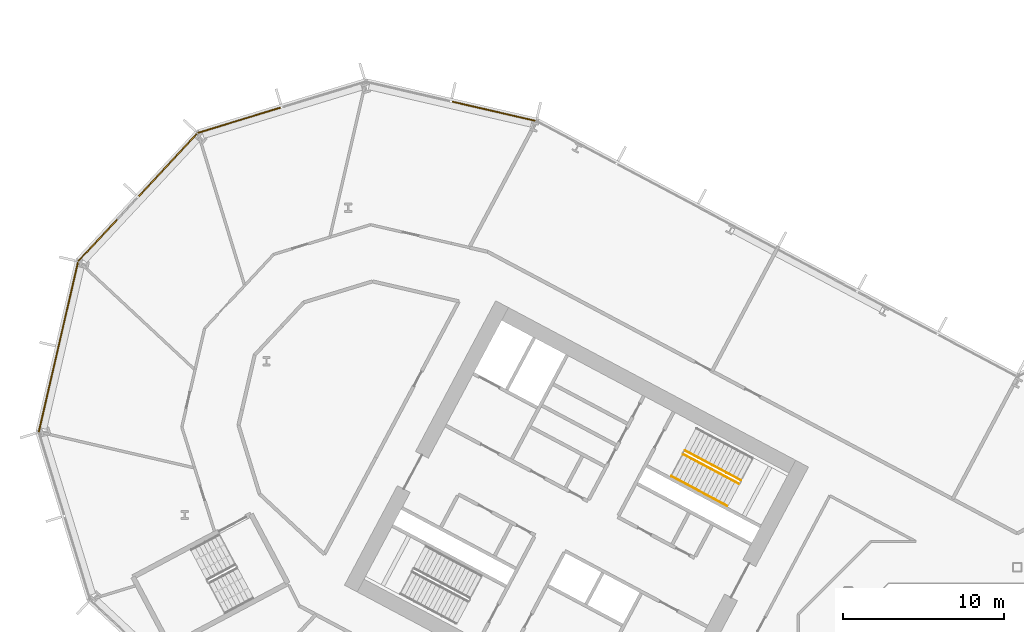
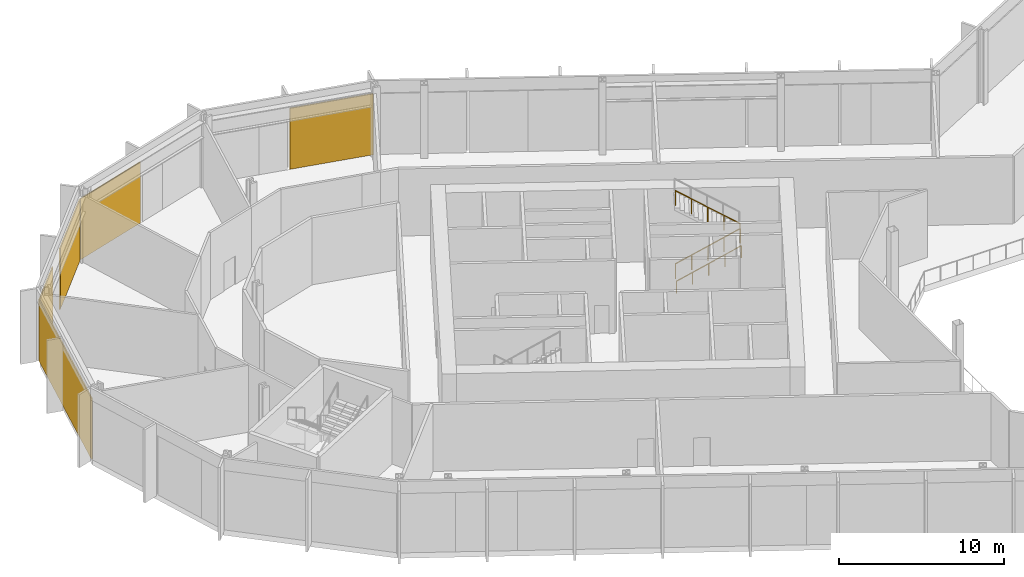
# One storey, part 23 of 30: 5 coverings, 3 railings, 4 elements without a shape of their own.
"""IFC4 building model written with IfcOpenShell, lengths in metres."""

from ifc_helpers import new_model, si_unit, direction, frame, origin, origin_2d, place, context, subcontext, project, spatial, polyline, rectangle, outline, extrude, material, layer, layer_set, type_object, element, aggregate, save


model = new_model("IFC4")

# Units and contexts
model_context = context("Model", 3, precision=1e-05, world=origin(), true_north=direction((0.0, 1.0)))
body_context = subcontext(model_context, "Body", "Model", "MODEL_VIEW")
ifc_project = project(units=[si_unit("LENGTHUNIT", "METRE"), si_unit("AREAUNIT", "SQUARE_METRE"), si_unit("VOLUMEUNIT", "CUBIC_METRE"), si_unit("PLANEANGLEUNIT", "RADIAN"), si_unit("MASSUNIT", "GRAM", prefix="KILO")], contexts=[model_context])

# Site, building, storey
site_placement = place(None, origin())
site = spatial("IfcSite", under=ifc_project, at=site_placement, CompositionType="ELEMENT")
building_placement = place(site_placement, origin())
building = spatial("IfcBuilding", under=site, at=building_placement, Name="Cormorant Relay Tower", CompositionType="ELEMENT")
storey_placement = place(building_placement, frame((0.0, 0.0, 44.60009765625)))
storey = spatial("IfcBuildingStorey", under=building, at=storey_placement, Name="L08", CompositionType="ELEMENT", Elevation=44.60009765625)

# Curtain wall, covering
ifc_material_1 = material(Name="Aluminium 6063-T6 anodised bronze", Category="aluminium")
ifc_layer_1 = layer(ifc_material_1, 0.235107421875)
ifc_layer_set_1 = layer_set([ifc_layer_1], Name="CW6 data hall curtain wall with mineral wool panels")
curtain_wall_type = type_object("IfcCurtainWallType", Name="CW6 data hall curtain wall with mineral wool panels", PredefinedType="NOTDEFINED", material=ifc_layer_set_1)
curtain_wall_1_placement = place(storey_placement, origin())
curtain_wall_1 = element("IfcCurtainWall", 1, at=curtain_wall_1_placement, inside=storey, type_object=curtain_wall_type, Name="CW6 curtain wall 8", PredefinedType="NOTDEFINED")
ifc_material_2 = material(Name="Mineral wool cored anodised bronze aluminium cassette panel", Category="aluminium")
ifc_layer_2 = layer(ifc_material_2, 0.074951171875)
ifc_layer_set_2 = layer_set([ifc_layer_2], Name="CW6 mineral wool cassette panel 75")
covering_type = type_object("IfcCoveringType", Name="CW6 mineral wool cassette panel 75", PredefinedType="CLADDING", material=ifc_layer_set_2)
covering_1_placement = place(storey_placement, frame((-32.51318359375, 40.31591796875, 0.0), z_axis=(0.0, 0.0, 1.0), x_axis=(-0.974370064785, 0.224951054344, 0.0)))
covering_1 = element("IfcCovering", 2, at=covering_1_placement, type_object=covering_type, Name="CW6 panel S00", PredefinedType="CLADDING", context=body_context, shape_type="SweptSolid", body=[
    extrude(rectangle(XDim=5.28515625, YDim=0.074951171875, at=origin_2d()), origin(), (0.0, 0.0, 1.0), 4.5),
])
aggregate(curtain_wall_1, [covering_1])

curtain_wall_2_placement = place(storey_placement, origin())
curtain_wall_2 = element("IfcCurtainWall", 3, at=curtain_wall_2_placement, inside=storey, type_object=curtain_wall_type, Name="CW6 curtain wall 9", PredefinedType="NOTDEFINED")
covering_2_placement = place(storey_placement, frame((-48.308837890625, 39.754638671875, 0.0), z_axis=(0.0, 0.0, 1.0), x_axis=(-0.956304755963, -0.292371704723, 0.0)))
covering_2 = element("IfcCovering", 4, at=covering_2_placement, type_object=covering_type, Name="CW6 panel S02", PredefinedType="CLADDING", context=body_context, shape_type="SweptSolid", body=[
    extrude(rectangle(XDim=5.360107421875, YDim=0.074951171875, at=origin_2d()), origin(), (0.0, 0.0, 1.0), 4.5),
])
aggregate(curtain_wall_2, [covering_2])

# Curtain wall, coverings
curtain_wall_3_placement = place(storey_placement, origin())
curtain_wall_3 = element("IfcCurtainWall", 5, at=curtain_wall_3_placement, inside=storey, type_object=curtain_wall_type, Name="CW6 curtain wall 10", PredefinedType="NOTDEFINED")
covering_3_placement = place(storey_placement, frame((-52.74169921875, 36.973388671875, 0.0), z_axis=(0.0, 0.0, 1.0), x_axis=(-0.681998360062, -0.731353701619, 0.0)))
covering_3 = element("IfcCovering", 6, at=covering_3_placement, type_object=covering_type, Name="CW6 panel S00", PredefinedType="CLADDING", context=body_context, shape_type="SweptSolid", body=[
    extrude(rectangle(XDim=5.28515625, YDim=0.074951171875, at=origin_2d()), origin(), (0.0, 0.0, 1.0), 4.5),
])
covering_4_placement = place(storey_placement, frame((-57.087890625, 32.3125, 0.0), z_axis=(0.0, 0.0, 1.0), x_axis=(-0.681998360062, -0.731353701619, 0.0)))
covering_4 = element("IfcCovering", 7, at=covering_4_placement, type_object=covering_type, Name="CW6 panel S02", PredefinedType="CLADDING", context=body_context, shape_type="SweptSolid", body=[
    extrude(rectangle(XDim=3.560302734375, YDim=0.074951171875, at=origin_2d()), origin(), (0.0, 0.0, 1.0), 4.5),
])
aggregate(curtain_wall_3, [covering_3, covering_4])

# Curtain wall, covering
curtain_wall_4_placement = place(storey_placement, origin())
curtain_wall_4 = element("IfcCurtainWall", 8, at=curtain_wall_4_placement, inside=storey, type_object=curtain_wall_type, Name="CW6 curtain wall 11", PredefinedType="NOTDEFINED")
covering_5_placement = place(storey_placement, frame((-59.542236328125, 25.6611328125, 0.0), z_axis=(0.0, 0.0, 1.0), x_axis=(-0.224951054344, -0.974370064785, 0.0)))
covering_5 = element("IfcCovering", 9, at=covering_5_placement, type_object=covering_type, Name="CW6 panel S00", PredefinedType="CLADDING", context=body_context, shape_type="SweptSolid", body=[
    extrude(rectangle(XDim=10.79541015625, YDim=0.074951171875, at=origin_2d()), origin(), (0.0, 0.0, 1.0), 4.5),
])
aggregate(curtain_wall_4, [covering_5])

# Railings
ifc_material_3 = material(Name="Steel ASTM A572 Grade 50 (Fy 345 MPa)", Category="steel")
railing_type_1 = type_object("IfcRailingType", Name="Stair guard 1100", PredefinedType="GUARDRAIL", material=ifc_material_3)
railing_1_placement = place(storey_placement, frame((-20.75048828125, 19.017822265625, 0.179931640625)))
element("IfcRailing", 10, at=railing_1_placement, inside=storey, type_object=railing_type_1, Name="L08 A1 stair guard 1", PredefinedType="GUARDRAIL", context=body_context, shape_type="SweptSolid", body=[
    extrude(outline(polyline([(0.022216796875, 0.00927734375), (0.00927734375, 0.022216796875), (-0.00927734375, 0.022216796875), (-0.022216796875, 0.00927734375), (-0.022216796875, -0.00927734375), (-0.00927734375, -0.022216796875), (0.00927734375, -0.022216796875), (0.022216796875, -0.00927734375), (0.022216796875, 0.00927734375)])), frame((0.0, 0.0, 1.076171875), z_axis=(0.74271721126, -0.394907409077, 0.540758062681), x_axis=(0.469469396681, 0.882948744594, 0.0)), (0.0, 0.0, 1.0), 4.66015625),
    extrude(outline(polyline([(0.019287109375, 0.008056640625), (0.008056640625, 0.019287109375), (-0.008056640625, 0.019287109375), (-0.019287109375, 0.008056640625), (-0.019287109375, -0.008056640625), (-0.008056640625, -0.019287109375), (0.008056640625, -0.019287109375), (0.019287109375, -0.008056640625), (0.019287109375, 0.008056640625)])), origin(), (0.0, 0.0, 1.0), 1.052001953125),
    extrude(outline(polyline([(0.019287109375, 0.008056640625), (0.008056640625, 0.019287109375), (-0.008056640625, 0.019287109375), (-0.019287109375, 0.008056640625), (-0.019287109375, -0.008056640625), (-0.008056640625, -0.019287109375), (0.008056640625, -0.019287109375), (0.019287109375, -0.008056640625), (0.019287109375, 0.008056640625)])), frame((0.865234375, -0.4599609375, 0.6298828125)), (0.0, 0.0, 1.0), 1.052001953125),
    extrude(outline(polyline([(0.019287109375, 0.008056640625), (0.008056640625, 0.019287109375), (-0.008056640625, 0.019287109375), (-0.019287109375, 0.008056640625), (-0.019287109375, -0.008056640625), (-0.008056640625, -0.019287109375), (0.008056640625, -0.019287109375), (0.019287109375, -0.008056640625), (0.019287109375, 0.008056640625)])), frame((1.73046875, -0.920166015625, 1.260009765625)), (0.0, 0.0, 1.0), 1.052001953125),
    extrude(outline(polyline([(0.019287109375, 0.008056640625), (0.008056640625, 0.019287109375), (-0.008056640625, 0.019287109375), (-0.019287109375, 0.008056640625), (-0.019287109375, -0.008056640625), (-0.008056640625, -0.019287109375), (0.008056640625, -0.019287109375), (0.019287109375, -0.008056640625), (0.019287109375, 0.008056640625)])), frame((2.595947265625, -1.38037109375, 1.89013671875)), (0.0, 0.0, 1.0), 1.052001953125),
    extrude(outline(polyline([(0.019287109375, 0.008056640625), (0.008056640625, 0.019287109375), (-0.008056640625, 0.019287109375), (-0.019287109375, 0.008056640625), (-0.019287109375, -0.008056640625), (-0.008056640625, -0.019287109375), (0.008056640625, -0.019287109375), (0.019287109375, -0.008056640625), (0.019287109375, 0.008056640625)])), frame((3.461181640625, -1.84033203125, 2.52001953125)), (0.0, 0.0, 1.0), 1.052001953125),
])
railing_2_placement = place(storey_placement, frame((-17.172119140625, 17.398193359375, 2.8798828125)))
element("IfcRailing", 11, at=railing_2_placement, inside=storey, type_object=railing_type_1, Name="L08 A1 stair guard 3", PredefinedType="GUARDRAIL", context=body_context, shape_type="SweptSolid", body=[
    extrude(outline(polyline([(0.022216796875, 0.00927734375), (0.00927734375, 0.022216796875), (-0.00927734375, 0.022216796875), (-0.022216796875, 0.00927734375), (-0.022216796875, -0.00927734375), (-0.00927734375, -0.022216796875), (0.00927734375, -0.022216796875), (0.022216796875, -0.00927734375), (0.022216796875, 0.00927734375)])), frame((0.0, 0.0, 1.076171875), z_axis=(-0.74271721126, 0.394907409077, 0.540758062681), x_axis=(-0.469469396681, -0.882948744594, 0.0)), (0.0, 0.0, 1.0), 4.66015625),
    extrude(outline(polyline([(0.019287109375, 0.008056640625), (0.008056640625, 0.019287109375), (-0.008056640625, 0.019287109375), (-0.019287109375, 0.008056640625), (-0.019287109375, -0.008056640625), (-0.008056640625, -0.019287109375), (0.008056640625, -0.019287109375), (0.019287109375, -0.008056640625), (0.019287109375, 0.008056640625)])), origin(), (0.0, 0.0, 1.0), 1.052001953125),
    extrude(outline(polyline([(0.019287109375, 0.008056640625), (0.008056640625, 0.019287109375), (-0.008056640625, 0.019287109375), (-0.019287109375, 0.008056640625), (-0.019287109375, -0.008056640625), (-0.008056640625, -0.019287109375), (0.008056640625, -0.019287109375), (0.019287109375, -0.008056640625), (0.019287109375, 0.008056640625)])), frame((-0.865234375, 0.4599609375, 0.6298828125)), (0.0, 0.0, 1.0), 1.052001953125),
    extrude(outline(polyline([(0.019287109375, 0.008056640625), (0.008056640625, 0.019287109375), (-0.008056640625, 0.019287109375), (-0.019287109375, 0.008056640625), (-0.019287109375, -0.008056640625), (-0.008056640625, -0.019287109375), (0.008056640625, -0.019287109375), (0.019287109375, -0.008056640625), (0.019287109375, 0.008056640625)])), frame((-1.73046875, 0.920166015625, 1.260009765625)), (0.0, 0.0, 1.0), 1.052001953125),
    extrude(outline(polyline([(0.019287109375, 0.008056640625), (0.008056640625, 0.019287109375), (-0.008056640625, 0.019287109375), (-0.019287109375, 0.008056640625), (-0.019287109375, -0.008056640625), (-0.008056640625, -0.019287109375), (0.008056640625, -0.019287109375), (0.019287109375, -0.008056640625), (0.019287109375, 0.008056640625)])), frame((-2.595947265625, 1.38037109375, 1.89013671875)), (0.0, 0.0, 1.0), 1.052001953125),
    extrude(outline(polyline([(0.019287109375, 0.008056640625), (0.008056640625, 0.019287109375), (-0.008056640625, 0.019287109375), (-0.019287109375, 0.008056640625), (-0.019287109375, -0.008056640625), (-0.008056640625, -0.019287109375), (0.008056640625, -0.019287109375), (0.019287109375, -0.008056640625), (0.019287109375, 0.008056640625)])), frame((-3.461181640625, 1.84033203125, 2.52001953125)), (0.0, 0.0, 1.0), 1.052001953125),
])
ifc_material_4 = material(Name="Steel ASTM A572 Grade 50 (Fy 345 MPa)", Category="steel")
railing_type_2 = type_object("IfcRailingType", Name="Stair handrail 900", PredefinedType="HANDRAIL", material=ifc_material_4)
railing_3_placement = place(storey_placement, frame((-21.478271484375, 17.6494140625, 0.179931640625)))
element("IfcRailing", 12, at=railing_3_placement, inside=storey, type_object=railing_type_2, Name="L08 A1 stair handrail 1", PredefinedType="HANDRAIL", context=body_context, shape_type="SweptSolid", body=[
    extrude(outline(polyline([(0.022216796875, 0.00927734375), (0.00927734375, 0.022216796875), (-0.00927734375, 0.022216796875), (-0.022216796875, 0.00927734375), (-0.022216796875, -0.00927734375), (-0.00927734375, -0.022216796875), (0.00927734375, -0.022216796875), (0.022216796875, -0.00927734375), (0.022216796875, 0.00927734375)])), frame((0.0, 0.0, 0.8759765625), z_axis=(0.74271721126, -0.394907409077, 0.540758062681), x_axis=(0.469469396681, 0.882948744594, 0.0)), (0.0, 0.0, 1.0), 4.66015625),
    extrude(outline(polyline([(0.019287109375, 0.008056640625), (0.008056640625, 0.019287109375), (-0.008056640625, 0.019287109375), (-0.019287109375, 0.008056640625), (-0.019287109375, -0.008056640625), (-0.008056640625, -0.019287109375), (0.008056640625, -0.019287109375), (0.019287109375, -0.008056640625), (0.019287109375, 0.008056640625)])), origin(), (0.0, 0.0, 1.0), 0.851806640625),
    extrude(outline(polyline([(0.019287109375, 0.008056640625), (0.008056640625, 0.019287109375), (-0.008056640625, 0.019287109375), (-0.019287109375, 0.008056640625), (-0.019287109375, -0.008056640625), (-0.008056640625, -0.019287109375), (0.008056640625, -0.019287109375), (0.019287109375, -0.008056640625), (0.019287109375, 0.008056640625)])), frame((0.865234375, -0.4599609375, 0.6298828125)), (0.0, 0.0, 1.0), 0.851806640625),
    extrude(outline(polyline([(0.019287109375, 0.008056640625), (0.008056640625, 0.019287109375), (-0.008056640625, 0.019287109375), (-0.019287109375, 0.008056640625), (-0.019287109375, -0.008056640625), (-0.008056640625, -0.019287109375), (0.008056640625, -0.019287109375), (0.019287109375, -0.008056640625), (0.019287109375, 0.008056640625)])), frame((1.73046875, -0.920166015625, 1.260009765625)), (0.0, 0.0, 1.0), 0.851806640625),
    extrude(outline(polyline([(0.019287109375, 0.008056640625), (0.008056640625, 0.019287109375), (-0.008056640625, 0.019287109375), (-0.019287109375, 0.008056640625), (-0.019287109375, -0.008056640625), (-0.008056640625, -0.019287109375), (0.008056640625, -0.019287109375), (0.019287109375, -0.008056640625), (0.019287109375, 0.008056640625)])), frame((2.595947265625, -1.38037109375, 1.89013671875)), (0.0, 0.0, 1.0), 0.851806640625),
    extrude(outline(polyline([(0.019287109375, 0.008056640625), (0.008056640625, 0.019287109375), (-0.008056640625, 0.019287109375), (-0.019287109375, 0.008056640625), (-0.019287109375, -0.008056640625), (-0.008056640625, -0.019287109375), (0.008056640625, -0.019287109375), (0.019287109375, -0.008056640625), (0.019287109375, 0.008056640625)])), frame((3.461181640625, -1.84033203125, 2.52001953125)), (0.0, 0.0, 1.0), 0.851806640625),
])

save(model, "model.ifc")
